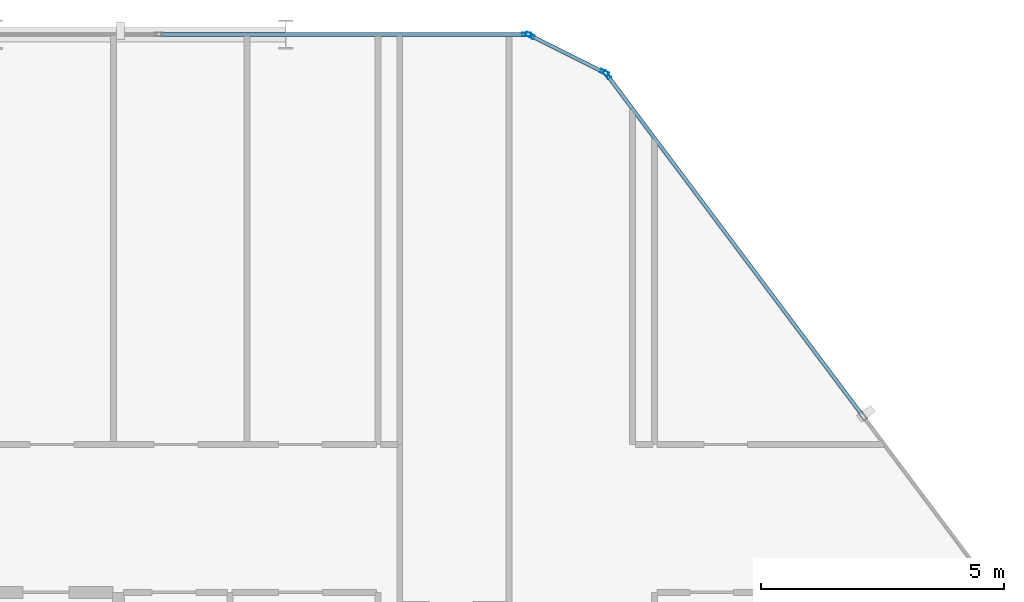
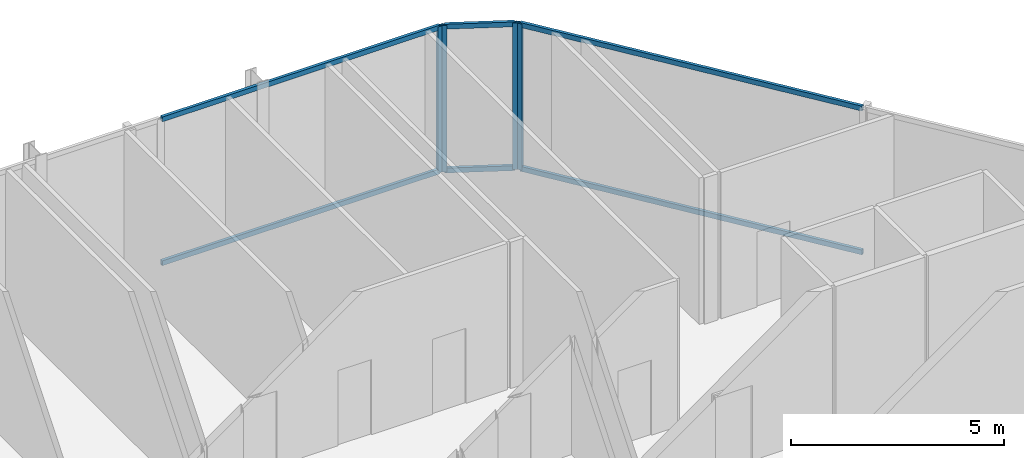
# One storey, part 18 of 30: 10 members, 3 elements without a shape of their own.
"""IFC4 building model written with IfcOpenShell, lengths in metres."""

import ifcopenshell
import ifcopenshell.guid

model = None  # the IFC model being written
_history = None  # IfcOwnerHistory: only IFC2X3 demands one
_inside = {}  # id of a spatial element -> (the spatial element, [elements in it])
_under = {}  # id of a project, library or spatial element -> (it, [spatial elements below it])
_declared = {}  # id of a project -> (the project, [libraries it declares])
_typed = {}  # id of a type object -> (the type object, [elements of that type])
_made_of = {}  # id of a material, layer set ... -> (it, [elements and type objects made of it])


def new_model(schema):
    """Start an empty IFC model of exactly this schema.

    Asked for "IFC4X3", IfcOpenShell would pick the latest addendum, in which some entities
    have other attributes; the version numbers below select the first issue.
    IFC2X3 requires an IfcOwnerHistory on every rooted entity: one is made here for all.
    """
    global model, _history
    if schema == "IFC4X3":
        model = ifcopenshell.file(schema_version=(4, 3, 0, 0))
    else:
        model = ifcopenshell.file(schema=schema)
    _inside.clear()
    _under.clear()
    _declared.clear()
    _typed.clear()
    _made_of.clear()
    _history = None
    if model.schema == "IFC2X3":
        org = make("IfcOrganization", Name="unknown")
        user = make(
            "IfcPersonAndOrganization",
            ThePerson=make("IfcPerson", FamilyName="unknown"),
            TheOrganization=org,
        )
        app = make(
            "IfcApplication",
            ApplicationDeveloper=org,
            Version="unknown",
            ApplicationFullName="unknown",
            ApplicationIdentifier="unknown",
        )
        _history = make(
            "IfcOwnerHistory",
            OwningUser=user,
            OwningApplication=app,
            ChangeAction="ADDED",
            CreationDate=0,
        )
    return model


def make(cls, **values):
    """One entity of the class cls with the attributes given. An attribute that is None is left unset."""
    return model.create_entity(
        cls, **{name: value for name, value in values.items() if value is not None}
    )


def rooted(cls, **values):
    """An entity with a GlobalId (a new one), such as an element, a storey or a relation."""
    return make(cls, GlobalId=ifcopenshell.guid.new(), OwnerHistory=_history, **values)


def si_unit(unit_type, name, prefix=None):
    """IfcSIUnit, for example si_unit("LENGTHUNIT", "METRE", prefix="MILLI")."""
    return make("IfcSIUnit", UnitType=unit_type, Prefix=prefix, Name=name)


def assignment(units):
    """IfcUnitAssignment: the units of a project."""
    return None if units is None else make("IfcUnitAssignment", Units=units)


def point(xyz):
    """IfcCartesianPoint."""
    return None if xyz is None else make("IfcCartesianPoint", Coordinates=xyz)


def direction(xyz):
    """IfcDirection."""
    return None if xyz is None else make("IfcDirection", DirectionRatios=xyz)


def frame(location, z_axis=None, x_axis=None):
    """IfcAxis2Placement3D, a coordinate frame: its origin and axes. An axis left out is left unset."""
    return make(
        "IfcAxis2Placement3D",
        Location=point(location),
        Axis=direction(z_axis),
        RefDirection=direction(x_axis),
    )


def frame_2d(location, x_axis=None):
    """IfcAxis2Placement2D, a coordinate frame in the plane: its origin and x axis."""
    return make(
        "IfcAxis2Placement2D", Location=point(location), RefDirection=direction(x_axis)
    )


def origin():
    """The frame at (0, 0, 0) with its axes left unset."""
    return frame((0.0, 0.0, 0.0))


def origin_2d():
    """The frame at (0, 0) in the plane with its x axis left unset."""
    return frame_2d((0.0, 0.0))


def place(relative_to, where):
    """IfcLocalPlacement: puts the frame where relative to a parent placement (None: the world)."""
    return make(
        "IfcLocalPlacement", PlacementRelTo=relative_to, RelativePlacement=where
    )


def context(
    kind, dimensions, precision=None, world=None, true_north=None, identifier=None
):
    """IfcGeometricRepresentationContext, for example the 3D "Model" context."""
    return make(
        "IfcGeometricRepresentationContext",
        ContextIdentifier=identifier,
        ContextType=kind,
        CoordinateSpaceDimension=dimensions,
        Precision=precision,
        WorldCoordinateSystem=world,
        TrueNorth=true_north,
    )


def subcontext(parent, identifier, kind, view, scale=None):
    """IfcGeometricRepresentationSubContext, for example "Body" below "Model"."""
    return make(
        "IfcGeometricRepresentationSubContext",
        ContextIdentifier=identifier,
        ContextType=kind,
        ParentContext=parent,
        TargetScale=scale,
        TargetView=view,
    )


def project(units=None, contexts=None):
    """IfcProject with its units and contexts."""
    return rooted(
        "IfcProject",
        Name="project",
        RepresentationContexts=contexts,
        UnitsInContext=assignment(units),
    )


def spatial(cls, under=None, at=None, **own):
    """A site, building, storey or space (cls), placed at a placement, below another one or the project."""
    s = rooted(cls, ObjectPlacement=at, **own)
    if under is not None:
        _under.setdefault(under.id(), (under, []))[1].append(s)
    return s


def profile(cls, at=None, kind="AREA", **sizes):
    """A parametric profile (cls). Its sizes go by their IFC names, for example OverallWidth=200.0."""
    return make(cls, ProfileType=kind, Position=at, **sizes)


def hollow_rectangle(**sizes):
    """IfcRectangleHollowProfileDef."""
    return profile("IfcRectangleHollowProfileDef", **sizes)


def extrude(swept, where, along, depth):
    """IfcExtrudedAreaSolid: the profile swept, set in the frame where, extruded along a direction by depth."""
    return make(
        "IfcExtrudedAreaSolid",
        SweptArea=swept,
        Position=where,
        ExtrudedDirection=direction(along),
        Depth=depth,
    )


def shape(context_of_items, identifier, shape_type, items):
    """IfcShapeRepresentation: the items that make up one representation, for example the "Body"."""
    return make(
        "IfcShapeRepresentation",
        ContextOfItems=context_of_items,
        RepresentationIdentifier=identifier,
        RepresentationType=shape_type,
        Items=items,
    )


def material(Name=None, Category=None):
    """IfcMaterial."""
    return make("IfcMaterial", Name=Name, Category=Category)


def layer(
    of_material, thickness, ventilated=None, Name=None, Category=None, Priority=None
):
    """IfcMaterialLayer: one layer of a wall or slab, of a material (None: an air gap)."""
    return make(
        "IfcMaterialLayer",
        Material=of_material,
        LayerThickness=thickness,
        IsVentilated=ventilated,
        Name=Name,
        Category=Category,
        Priority=Priority,
    )


def layer_set(layers, Name=None):
    """IfcMaterialLayerSet."""
    return make("IfcMaterialLayerSet", MaterialLayers=layers, LayerSetName=Name)


def material_profile(
    of_material, cross_section, Name=None, Category=None, Priority=None
):
    """IfcMaterialProfile: a cross section and its material."""
    return make(
        "IfcMaterialProfile",
        Name=Name,
        Material=of_material,
        Profile=cross_section,
        Priority=Priority,
        Category=Category,
    )


def profile_set(profiles, Name=None, composite=None):
    """IfcMaterialProfileSet."""
    return make(
        "IfcMaterialProfileSet",
        Name=Name,
        MaterialProfiles=profiles,
        CompositeProfile=composite,
    )


def made_of(thing, what):
    """Note that an element or type object is made of a material, layer set ...; save() writes the relation."""
    if what is not None:
        _made_of.setdefault(what.id(), (what, []))[1].append(thing)
    return thing


def type_object(cls, material=None, **own):
    """A type object (cls), such as IfcWallType, which elements share."""
    return made_of(rooted(cls, **own), material)


def element(
    cls,
    number,
    at=None,
    inside=None,
    cuts=None,
    type_object=None,
    material=None,
    context=None,
    identifier="Body",
    shape_type=None,
    held_by="IfcProductDefinitionShape",
    body=None,
    shapes=None,
    **own,
):
    """One element of the class cls, such as IfcWall. Its Tag is "e" and its number.

    at: its placement. inside: the storey or other place that contains it. cuts: it is an
    opening in that element (IfcRelVoidsElement). A single representation is given by context,
    identifier, shape_type and body (its items); several are given by shapes. held_by: the class
    of the entity that holds the representations. save() writes the other relations.
    """
    e = rooted(cls, Tag="e%d" % number, ObjectPlacement=at, **own)
    if body is not None:
        shapes = [shape(context, identifier, shape_type, body)]
    if shapes is not None:
        e.Representation = make(held_by, Representations=shapes)
    if inside is not None:
        _inside.setdefault(inside.id(), (inside, []))[1].append(e)
    if cuts is not None:
        rooted(
            "IfcRelVoidsElement", RelatingBuildingElement=cuts, RelatedOpeningElement=e
        )
    if type_object is not None:
        _typed.setdefault(type_object.id(), (type_object, []))[1].append(e)
    return made_of(e, material)


def aggregate(whole, parts):
    """IfcRelAggregates: a whole, such as a stair, and the parts it consists of."""
    return rooted("IfcRelAggregates", RelatingObject=whole, RelatedObjects=parts)


def save(model, path):
    """Write the relations noted so far, then the file.

    IfcRelAggregates (storeys below a building ...), IfcRelContainedInSpatialStructure (elements
    in a storey), IfcRelDefinesByType, IfcRelAssociatesMaterial and IfcRelDeclares: one each for
    every whole, place, type object, material and project.
    """
    for whole, parts in _under.values():
        aggregate(whole, parts)
    for where, things in _inside.values():
        rooted(
            "IfcRelContainedInSpatialStructure",
            RelatedElements=things,
            RelatingStructure=where,
        )
    for kind, things in _typed.values():
        rooted("IfcRelDefinesByType", RelatedObjects=things, RelatingType=kind)
    for what, things in _made_of.values():
        rooted("IfcRelAssociatesMaterial", RelatedObjects=things, RelatingMaterial=what)
    for by, libraries in _declared.values():
        rooted("IfcRelDeclares", RelatingContext=by, RelatedDefinitions=libraries)
    model.write(path)


model = new_model("IFC4")

# Units and contexts
model_context = context("Model", 3, precision=1e-05, world=origin(), true_north=direction((0.0, 1.0)))
body_context = subcontext(model_context, "Body", "Model", "MODEL_VIEW")
ifc_project = project(units=[si_unit("LENGTHUNIT", "METRE"), si_unit("AREAUNIT", "SQUARE_METRE"), si_unit("VOLUMEUNIT", "CUBIC_METRE"), si_unit("PLANEANGLEUNIT", "RADIAN"), si_unit("MASSUNIT", "GRAM", prefix="KILO")], contexts=[model_context])

# Site, building, storey
site_placement = place(None, origin())
site = spatial("IfcSite", under=ifc_project, at=site_placement, CompositionType="ELEMENT")
building_placement = place(site_placement, origin())
building = spatial("IfcBuilding", under=site, at=building_placement, Name="Keshet Zoharim Tower", CompositionType="ELEMENT")
storey_placement = place(building_placement, frame((0.0, 0.0, 86.39990234375)))
storey = spatial("IfcBuildingStorey", under=building, at=storey_placement, Name="L20", CompositionType="ELEMENT", Elevation=86.39990234375)

# Curtain wall, member
ifc_material = material(Name="Aluminium 6063-T6", Category="aluminium")
ifc_layer = layer(ifc_material, 0.159912109375)
ifc_layer_set = layer_set([ifc_layer], Name="Aluminium 6063-T6")
curtain_wall_type = type_object("IfcCurtainWallType", Name="CW-SYS-03", PredefinedType="NOTDEFINED", material=ifc_layer_set)
curtain_wall_1_placement = place(storey_placement, origin())
curtain_wall_1 = element("IfcCurtainWall", 1, at=curtain_wall_1_placement, inside=storey, type_object=curtain_wall_type, Name="L20 Unitised Curtain Wall 13 Part 5", PredefinedType="NOTDEFINED")
ifc_material_profile_1 = material_profile(ifc_material, hollow_rectangle(XDim=0.080078125, YDim=0.179931640625, WallThickness=0.00439453125, at=origin_2d()), Name="MUL-80x180")
ifc_profile_set_1 = profile_set([ifc_material_profile_1], Name="Aluminium 6063-T6")
member_type_1 = type_object("IfcMemberType", Name="CWM-M18", PredefinedType="MULLION", material=ifc_profile_set_1)
member_1_placement = place(storey_placement, frame((49.965087890625, 53.89990234375, 0.0), z_axis=(0.0, 0.0, 1.0), x_axis=(0.0, 1.0, 0.0)))
member_1 = element("IfcMember", 2, at=member_1_placement, type_object=member_type_1, Name="CW-03 mullion 3", PredefinedType="MULLION", context=body_context, shape_type="SweptSolid", body=[
    extrude(hollow_rectangle(XDim=0.080078125, YDim=0.179931640625, WallThickness=0.00439453125, at=origin_2d()), origin(), (0.0, 0.0, 1.0), 4.18505859375),
])

# Curtain wall, members
curtain_wall_2_placement = place(storey_placement, origin())
curtain_wall_2 = element("IfcCurtainWall", 3, at=curtain_wall_2_placement, inside=storey, type_object=curtain_wall_type, Name="L20 Unitised Curtain Wall 14", PredefinedType="NOTDEFINED")
member_2_placement = place(storey_placement, frame((50.03125, 53.88427734375, 0.0), z_axis=(0.0, 0.0, 1.0), x_axis=(0.447213595499, 0.894427191001, 0.0)))
member_2 = element("IfcMember", 4, at=member_2_placement, type_object=member_type_1, Name="CW-03 mullion 1", PredefinedType="MULLION", context=body_context, shape_type="SweptSolid", body=[
    extrude(hollow_rectangle(XDim=0.080078125, YDim=0.179931640625, WallThickness=0.00439453125, at=origin_2d()), origin(), (0.0, 0.0, 1.0), 4.18505859375),
])
member_3_placement = place(storey_placement, frame((51.568603515625, 53.11572265625, 0.0), z_axis=(0.0, 0.0, 1.0), x_axis=(0.447213595499, 0.894427191001, 0.0)))
member_3 = element("IfcMember", 5, at=member_3_placement, type_object=member_type_1, Name="CW-03 mullion 2", PredefinedType="MULLION", context=body_context, shape_type="SweptSolid", body=[
    extrude(hollow_rectangle(XDim=0.080078125, YDim=0.179931640625, WallThickness=0.00439453125, at=origin_2d()), origin(), (0.0, 0.0, 1.0), 4.18505859375),
])

# Curtain wall, member
curtain_wall_3_placement = place(storey_placement, origin())
curtain_wall_3 = element("IfcCurtainWall", 6, at=curtain_wall_3_placement, inside=storey, type_object=curtain_wall_type, Name="L20 Unitised Curtain Wall 15", PredefinedType="NOTDEFINED")
member_4_placement = place(storey_placement, frame((51.62109375, 53.072021484375, 0.0), z_axis=(0.0, 0.0, 1.0), x_axis=(0.799999999998, 0.600000000002, 0.0)))
member_4 = element("IfcMember", 7, at=member_4_placement, type_object=member_type_1, Name="CW-03 mullion 1", PredefinedType="MULLION", context=body_context, shape_type="SweptSolid", body=[
    extrude(hollow_rectangle(XDim=0.080078125, YDim=0.179931640625, WallThickness=0.00439453125, at=origin_2d()), origin(), (0.0, 0.0, 1.0), 4.18505859375),
])

# Member
ifc_material_profile_2 = material_profile(ifc_material, hollow_rectangle(XDim=0.080078125, YDim=0.139892578125, WallThickness=0.00390625, at=origin_2d()), Name="TRN-80x140")
ifc_profile_set_2 = profile_set([ifc_material_profile_2], Name="Aluminium 6063-T6")
member_type_2 = type_object("IfcMemberType", Name="CWT-T14", PredefinedType="USERDEFINED", material=ifc_profile_set_2)
member_5_placement = place(storey_placement, frame((42.418701171875, 53.89990234375, 0.03515625), z_axis=(1.0, 0.0, 0.0), x_axis=(0.0, 1.0, 0.0)))
member_5 = element("IfcMember", 8, at=member_5_placement, type_object=member_type_2, Name="CW-03 transom 2.1", ObjectType="TRANSOM", PredefinedType="USERDEFINED", context=body_context, shape_type="SweptSolid", body=[
    extrude(hollow_rectangle(XDim=0.080078125, YDim=0.139892578125, WallThickness=0.00390625, at=origin_2d()), origin(), (0.0, 0.0, 1.0), 7.51123046875),
])

member_6_placement = place(storey_placement, frame((42.418701171875, 53.89990234375, 4.150146484375), z_axis=(1.0, 0.0, 0.0), x_axis=(0.0, 1.0, 0.0)))
member_6 = element("IfcMember", 9, at=member_6_placement, type_object=member_type_2, Name="CW-03 transom 2.2", ObjectType="TRANSOM", PredefinedType="USERDEFINED", context=body_context, shape_type="SweptSolid", body=[
    extrude(hollow_rectangle(XDim=0.080078125, YDim=0.139892578125, WallThickness=0.00390625, at=origin_2d()), origin(), (0.0, 0.0, 1.0), 7.51123046875),
])

aggregate(curtain_wall_1, [member_1, member_5, member_6])

member_7_placement = place(storey_placement, frame((50.0625, 53.86865234375, 0.03515625), z_axis=(0.894456801911, -0.447154368775, 0.0), x_axis=(0.447154368775, 0.894456801911, 0.0)))
member_7 = element("IfcMember", 10, at=member_7_placement, type_object=member_type_2, Name="CW-03 transom 1.1", ObjectType="TRANSOM", PredefinedType="USERDEFINED", context=body_context, shape_type="SweptSolid", body=[
    extrude(hollow_rectangle(XDim=0.080078125, YDim=0.139892578125, WallThickness=0.00390625, at=origin_2d()), origin(), (0.0, 0.0, 1.0), 1.64892578125),
])

member_8_placement = place(storey_placement, frame((50.0625, 53.86865234375, 4.150146484375), z_axis=(0.894456801911, -0.447154368775, 0.0), x_axis=(0.447154368775, 0.894456801911, 0.0)))
member_8 = element("IfcMember", 11, at=member_8_placement, type_object=member_type_2, Name="CW-03 transom 1.2", ObjectType="TRANSOM", PredefinedType="USERDEFINED", context=body_context, shape_type="SweptSolid", body=[
    extrude(hollow_rectangle(XDim=0.080078125, YDim=0.139892578125, WallThickness=0.00390625, at=origin_2d()), origin(), (0.0, 0.0, 1.0), 1.64892578125),
])

aggregate(curtain_wall_2, [member_2, member_3, member_7, member_8])

member_9_placement = place(storey_placement, frame((51.64208984375, 53.0439453125, 0.03515625), z_axis=(0.599991043201, -0.800006717521, 0.0), x_axis=(0.800006717521, 0.599991043201, 0.0)))
member_9 = element("IfcMember", 12, at=member_9_placement, type_object=member_type_2, Name="CW-03 transom 1.1", ObjectType="TRANSOM", PredefinedType="USERDEFINED", context=body_context, shape_type="SweptSolid", body=[
    extrude(hollow_rectangle(XDim=0.080078125, YDim=0.139892578125, WallThickness=0.00390625, at=origin_2d()), origin(), (0.0, 0.0, 1.0), 8.722412109375),
])

member_10_placement = place(storey_placement, frame((51.64208984375, 53.0439453125, 4.150146484375), z_axis=(0.599991043201, -0.800006717521, 0.0), x_axis=(0.800006717521, 0.599991043201, 0.0)))
member_10 = element("IfcMember", 13, at=member_10_placement, type_object=member_type_2, Name="CW-03 transom 1.2", ObjectType="TRANSOM", PredefinedType="USERDEFINED", context=body_context, shape_type="SweptSolid", body=[
    extrude(hollow_rectangle(XDim=0.080078125, YDim=0.139892578125, WallThickness=0.00390625, at=origin_2d()), origin(), (0.0, 0.0, 1.0), 8.722412109375),
])

aggregate(curtain_wall_3, [member_4, member_9, member_10])

save(model, "model.ifc")
